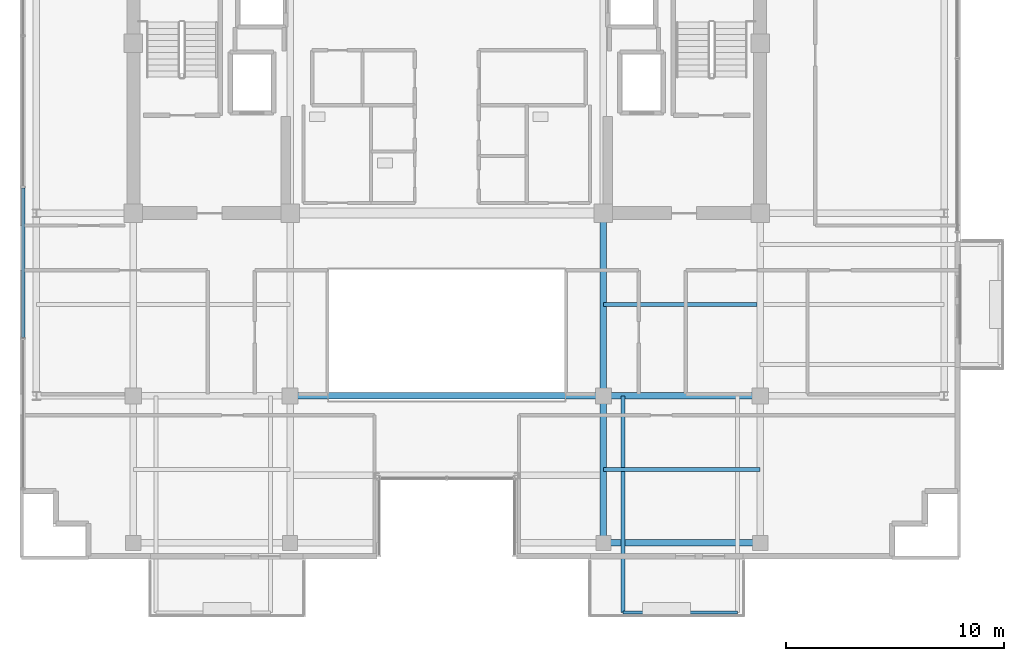
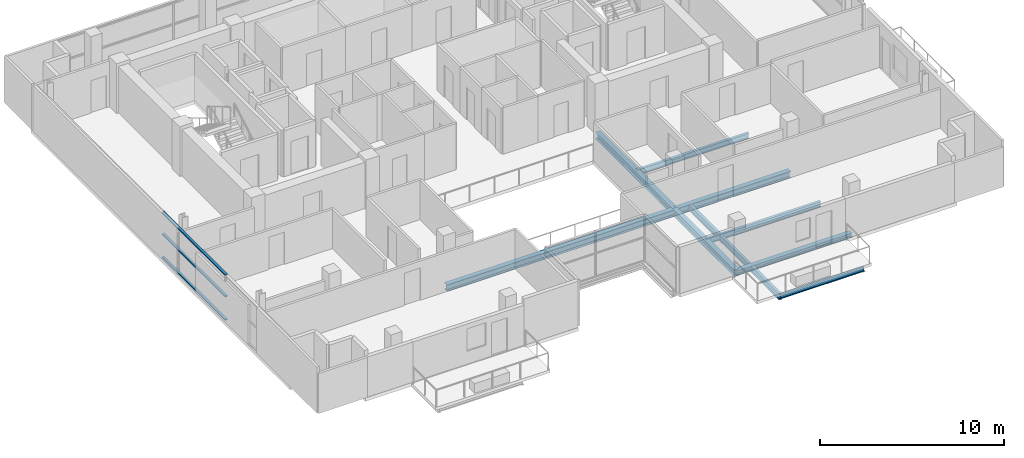
# One storey, part 6 of 22: 9 beams, 3 members, 1 element without a shape of its own.
"""IFC4 building model written with IfcOpenShell, lengths in metres."""

import ifcopenshell
import ifcopenshell.guid

model = None  # the IFC model being written
_history = None  # IfcOwnerHistory: only IFC2X3 demands one
_inside = {}  # id of a spatial element -> (the spatial element, [elements in it])
_under = {}  # id of a project, library or spatial element -> (it, [spatial elements below it])
_declared = {}  # id of a project -> (the project, [libraries it declares])
_typed = {}  # id of a type object -> (the type object, [elements of that type])
_made_of = {}  # id of a material, layer set ... -> (it, [elements and type objects made of it])


def new_model(schema):
    """Start an empty IFC model of exactly this schema.

    Asked for "IFC4X3", IfcOpenShell would pick the latest addendum, in which some entities
    have other attributes; the version numbers below select the first issue.
    IFC2X3 requires an IfcOwnerHistory on every rooted entity: one is made here for all.
    """
    global model, _history
    if schema == "IFC4X3":
        model = ifcopenshell.file(schema_version=(4, 3, 0, 0))
    else:
        model = ifcopenshell.file(schema=schema)
    _inside.clear()
    _under.clear()
    _declared.clear()
    _typed.clear()
    _made_of.clear()
    _history = None
    if model.schema == "IFC2X3":
        org = make("IfcOrganization", Name="unknown")
        user = make(
            "IfcPersonAndOrganization",
            ThePerson=make("IfcPerson", FamilyName="unknown"),
            TheOrganization=org,
        )
        app = make(
            "IfcApplication",
            ApplicationDeveloper=org,
            Version="unknown",
            ApplicationFullName="unknown",
            ApplicationIdentifier="unknown",
        )
        _history = make(
            "IfcOwnerHistory",
            OwningUser=user,
            OwningApplication=app,
            ChangeAction="ADDED",
            CreationDate=0,
        )
    return model


def make(cls, **values):
    """One entity of the class cls with the attributes given. An attribute that is None is left unset."""
    return model.create_entity(
        cls, **{name: value for name, value in values.items() if value is not None}
    )


def rooted(cls, **values):
    """An entity with a GlobalId (a new one), such as an element, a storey or a relation."""
    return make(cls, GlobalId=ifcopenshell.guid.new(), OwnerHistory=_history, **values)


def si_unit(unit_type, name, prefix=None):
    """IfcSIUnit, for example si_unit("LENGTHUNIT", "METRE", prefix="MILLI")."""
    return make("IfcSIUnit", UnitType=unit_type, Prefix=prefix, Name=name)


def assignment(units):
    """IfcUnitAssignment: the units of a project."""
    return None if units is None else make("IfcUnitAssignment", Units=units)


def point(xyz):
    """IfcCartesianPoint."""
    return None if xyz is None else make("IfcCartesianPoint", Coordinates=xyz)


def direction(xyz):
    """IfcDirection."""
    return None if xyz is None else make("IfcDirection", DirectionRatios=xyz)


def frame(location, z_axis=None, x_axis=None):
    """IfcAxis2Placement3D, a coordinate frame: its origin and axes. An axis left out is left unset."""
    return make(
        "IfcAxis2Placement3D",
        Location=point(location),
        Axis=direction(z_axis),
        RefDirection=direction(x_axis),
    )


def frame_2d(location, x_axis=None):
    """IfcAxis2Placement2D, a coordinate frame in the plane: its origin and x axis."""
    return make(
        "IfcAxis2Placement2D", Location=point(location), RefDirection=direction(x_axis)
    )


def origin():
    """The frame at (0, 0, 0) with its axes left unset."""
    return frame((0.0, 0.0, 0.0))


def origin_2d():
    """The frame at (0, 0) in the plane with its x axis left unset."""
    return frame_2d((0.0, 0.0))


def place(relative_to, where):
    """IfcLocalPlacement: puts the frame where relative to a parent placement (None: the world)."""
    return make(
        "IfcLocalPlacement", PlacementRelTo=relative_to, RelativePlacement=where
    )


def context(
    kind, dimensions, precision=None, world=None, true_north=None, identifier=None
):
    """IfcGeometricRepresentationContext, for example the 3D "Model" context."""
    return make(
        "IfcGeometricRepresentationContext",
        ContextIdentifier=identifier,
        ContextType=kind,
        CoordinateSpaceDimension=dimensions,
        Precision=precision,
        WorldCoordinateSystem=world,
        TrueNorth=true_north,
    )


def subcontext(parent, identifier, kind, view, scale=None):
    """IfcGeometricRepresentationSubContext, for example "Body" below "Model"."""
    return make(
        "IfcGeometricRepresentationSubContext",
        ContextIdentifier=identifier,
        ContextType=kind,
        ParentContext=parent,
        TargetScale=scale,
        TargetView=view,
    )


def project(units=None, contexts=None):
    """IfcProject with its units and contexts."""
    return rooted(
        "IfcProject",
        Name="project",
        RepresentationContexts=contexts,
        UnitsInContext=assignment(units),
    )


def spatial(cls, under=None, at=None, **own):
    """A site, building, storey or space (cls), placed at a placement, below another one or the project."""
    s = rooted(cls, ObjectPlacement=at, **own)
    if under is not None:
        _under.setdefault(under.id(), (under, []))[1].append(s)
    return s


def profile(cls, at=None, kind="AREA", **sizes):
    """A parametric profile (cls). Its sizes go by their IFC names, for example OverallWidth=200.0."""
    return make(cls, ProfileType=kind, Position=at, **sizes)


def hollow_rectangle(**sizes):
    """IfcRectangleHollowProfileDef."""
    return profile("IfcRectangleHollowProfileDef", **sizes)


def i_section(**sizes):
    """IfcIShapeProfileDef."""
    return profile("IfcIShapeProfileDef", **sizes)


def extrude(swept, where, along, depth):
    """IfcExtrudedAreaSolid: the profile swept, set in the frame where, extruded along a direction by depth."""
    return make(
        "IfcExtrudedAreaSolid",
        SweptArea=swept,
        Position=where,
        ExtrudedDirection=direction(along),
        Depth=depth,
    )


def shape(context_of_items, identifier, shape_type, items):
    """IfcShapeRepresentation: the items that make up one representation, for example the "Body"."""
    return make(
        "IfcShapeRepresentation",
        ContextOfItems=context_of_items,
        RepresentationIdentifier=identifier,
        RepresentationType=shape_type,
        Items=items,
    )


def source(mapping_origin, context_of_items, identifier, shape_type, items):
    """IfcRepresentationMap: a shape defined once, which mapped items show again and again."""
    return make(
        "IfcRepresentationMap",
        MappingOrigin=mapping_origin,
        MappedRepresentation=shape(context_of_items, identifier, shape_type, items),
    )


def transform(
    local_origin,
    x_axis=None,
    y_axis=None,
    z_axis=None,
    scale=None,
    scale2=None,
    scale3=None,
    uniform=True,
):
    """IfcCartesianTransformationOperator3D, or its non-uniform kind. x_axis, y_axis, z_axis: its Axis1, 2, 3."""
    if uniform:
        return make(
            "IfcCartesianTransformationOperator3D",
            Axis1=direction(x_axis),
            Axis2=direction(y_axis),
            LocalOrigin=point(local_origin),
            Scale=scale,
            Axis3=direction(z_axis),
        )
    return make(
        "IfcCartesianTransformationOperator3DnonUniform",
        Axis1=direction(x_axis),
        Axis2=direction(y_axis),
        LocalOrigin=point(local_origin),
        Scale=scale,
        Axis3=direction(z_axis),
        Scale2=scale2,
        Scale3=scale3,
    )


def mapped(mapping_source, mapping_target):
    """IfcMappedItem: shows the shape of a source again, moved by a transform."""
    return make(
        "IfcMappedItem", MappingSource=mapping_source, MappingTarget=mapping_target
    )


def material(Name=None, Category=None):
    """IfcMaterial."""
    return make("IfcMaterial", Name=Name, Category=Category)


def layer(
    of_material, thickness, ventilated=None, Name=None, Category=None, Priority=None
):
    """IfcMaterialLayer: one layer of a wall or slab, of a material (None: an air gap)."""
    return make(
        "IfcMaterialLayer",
        Material=of_material,
        LayerThickness=thickness,
        IsVentilated=ventilated,
        Name=Name,
        Category=Category,
        Priority=Priority,
    )


def layer_set(layers, Name=None):
    """IfcMaterialLayerSet."""
    return make("IfcMaterialLayerSet", MaterialLayers=layers, LayerSetName=Name)


def material_profile(
    of_material, cross_section, Name=None, Category=None, Priority=None
):
    """IfcMaterialProfile: a cross section and its material."""
    return make(
        "IfcMaterialProfile",
        Name=Name,
        Material=of_material,
        Profile=cross_section,
        Priority=Priority,
        Category=Category,
    )


def profile_set(profiles, Name=None, composite=None):
    """IfcMaterialProfileSet."""
    return make(
        "IfcMaterialProfileSet",
        Name=Name,
        MaterialProfiles=profiles,
        CompositeProfile=composite,
    )


def made_of(thing, what):
    """Note that an element or type object is made of a material, layer set ...; save() writes the relation."""
    if what is not None:
        _made_of.setdefault(what.id(), (what, []))[1].append(thing)
    return thing


def type_object(cls, material=None, **own):
    """A type object (cls), such as IfcWallType, which elements share."""
    return made_of(rooted(cls, **own), material)


def element(
    cls,
    number,
    at=None,
    inside=None,
    cuts=None,
    type_object=None,
    material=None,
    context=None,
    identifier="Body",
    shape_type=None,
    held_by="IfcProductDefinitionShape",
    body=None,
    shapes=None,
    **own,
):
    """One element of the class cls, such as IfcWall. Its Tag is "e" and its number.

    at: its placement. inside: the storey or other place that contains it. cuts: it is an
    opening in that element (IfcRelVoidsElement). A single representation is given by context,
    identifier, shape_type and body (its items); several are given by shapes. held_by: the class
    of the entity that holds the representations. save() writes the other relations.
    """
    e = rooted(cls, Tag="e%d" % number, ObjectPlacement=at, **own)
    if body is not None:
        shapes = [shape(context, identifier, shape_type, body)]
    if shapes is not None:
        e.Representation = make(held_by, Representations=shapes)
    if inside is not None:
        _inside.setdefault(inside.id(), (inside, []))[1].append(e)
    if cuts is not None:
        rooted(
            "IfcRelVoidsElement", RelatingBuildingElement=cuts, RelatedOpeningElement=e
        )
    if type_object is not None:
        _typed.setdefault(type_object.id(), (type_object, []))[1].append(e)
    return made_of(e, material)


def aggregate(whole, parts):
    """IfcRelAggregates: a whole, such as a stair, and the parts it consists of."""
    return rooted("IfcRelAggregates", RelatingObject=whole, RelatedObjects=parts)


def save(model, path):
    """Write the relations noted so far, then the file.

    IfcRelAggregates (storeys below a building ...), IfcRelContainedInSpatialStructure (elements
    in a storey), IfcRelDefinesByType, IfcRelAssociatesMaterial and IfcRelDeclares: one each for
    every whole, place, type object, material and project.
    """
    for whole, parts in _under.values():
        aggregate(whole, parts)
    for where, things in _inside.values():
        rooted(
            "IfcRelContainedInSpatialStructure",
            RelatedElements=things,
            RelatingStructure=where,
        )
    for kind, things in _typed.values():
        rooted("IfcRelDefinesByType", RelatedObjects=things, RelatingType=kind)
    for what, things in _made_of.values():
        rooted("IfcRelAssociatesMaterial", RelatedObjects=things, RelatingMaterial=what)
    for by, libraries in _declared.values():
        rooted("IfcRelDeclares", RelatingContext=by, RelatedDefinitions=libraries)
    model.write(path)


model = new_model("IFC4")

# Units and contexts
model_context = context("Model", 3, precision=1e-05, world=origin(), true_north=direction((0.0, 1.0)))
body_context = subcontext(model_context, "Body", "Model", "MODEL_VIEW")
ifc_project = project(units=[si_unit("LENGTHUNIT", "METRE"), si_unit("AREAUNIT", "SQUARE_METRE"), si_unit("VOLUMEUNIT", "CUBIC_METRE"), si_unit("PLANEANGLEUNIT", "RADIAN"), si_unit("MASSUNIT", "GRAM", prefix="KILO")], contexts=[model_context])

# Site, building, storey
site_placement = place(None, origin())
site = spatial("IfcSite", under=ifc_project, at=site_placement, CompositionType="ELEMENT")
building_placement = place(site_placement, origin())
building = spatial("IfcBuilding", under=site, at=building_placement, Name="Zarnakvel Exchange Tower", CompositionType="ELEMENT")
storey_placement = place(building_placement, frame((0.0, 0.0, 245.199951171875)))
storey = spatial("IfcBuildingStorey", under=building, at=storey_placement, Name="L69", CompositionType="ELEMENT", Elevation=245.199951171875)

# Beams
ifc_material_1 = material(Name="Steel S355", Category="steel")
ifc_material_profile_1 = material_profile(ifc_material_1, i_section(OverallWidth=0.179931640625, OverallDepth=0.39990234375, WebThickness=0.008544921875, FlangeThickness=0.013427734375, FilletRadius=0.02099609375, at=origin_2d()))
ifc_profile_set_1 = profile_set([ifc_material_profile_1], Name="Steel S355")
beam_type_1 = type_object("IfcBeamType", Name="B-06", PredefinedType="JOIST", material=ifc_profile_set_1)
beam_1_placement = place(storey_placement, frame((8.10009765625, -9.60009765625, -0.425048828125), z_axis=(0.0, -1.0, 0.0), x_axis=(1.0, 0.0, 0.0)))
element("IfcBeam", 1, at=beam_1_placement, inside=storey, type_object=beam_type_1, Name="L69 Continuous Back-Spanned Balcony Beam W", PredefinedType="JOIST", context=body_context, shape_type="SweptSolid", body=[
    extrude(i_section(OverallWidth=0.179931640625, OverallDepth=0.39990234375, WebThickness=0.008544921875, FlangeThickness=0.013427734375, FilletRadius=0.02099609375, at=origin_2d()), origin(), (0.0, 0.0, 1.0), 9.949951171875),
])
ifc_material_profile_2 = material_profile(ifc_material_1, i_section(OverallWidth=0.169921875, OverallDepth=0.360107421875, WebThickness=0.008056640625, FlangeThickness=0.0126953125, FilletRadius=0.01806640625, at=origin_2d()))
ifc_profile_set_2 = profile_set([ifc_material_profile_2], Name="Steel S355")
beam_type_2 = type_object("IfcBeamType", Name="B-07", PredefinedType="JOIST", material=ifc_profile_set_2)
beam_2_placement = place(storey_placement, frame((7.199951171875, -12.97509765625, -0.405029296875), z_axis=(1.0, 0.0, 0.0), x_axis=(0.0, 1.0, 0.0)))
element("IfcBeam", 2, at=beam_2_placement, inside=storey, type_object=beam_type_2, Name="L69 Composite Floor Secondary Joist", PredefinedType="JOIST", context=body_context, shape_type="SweptSolid", body=[
    extrude(i_section(OverallWidth=0.169921875, OverallDepth=0.360107421875, WebThickness=0.008056640625, FlangeThickness=0.0126953125, FilletRadius=0.01806640625, at=origin_2d()), origin(), (0.0, 0.0, 1.0), 7.199951171875),
])
beam_3_placement = place(storey_placement, frame((7.199951171875, -5.39990234375, -0.405029296875), z_axis=(1.0, 0.0, 0.0), x_axis=(0.0, 1.0, 0.0)))
element("IfcBeam", 3, at=beam_3_placement, inside=storey, type_object=beam_type_2, Name="L69 Composite Floor Secondary Joist", PredefinedType="JOIST", context=body_context, shape_type="SweptSolid", body=[
    extrude(i_section(OverallWidth=0.169921875, OverallDepth=0.360107421875, WebThickness=0.008056640625, FlangeThickness=0.0126953125, FilletRadius=0.01806640625, at=origin_2d()), origin(), (0.0, 0.0, 1.0), 7.050048828125),
])
ifc_material_profile_3 = material_profile(ifc_material_1, i_section(OverallWidth=0.14990234375, OverallDepth=0.300048828125, WebThickness=0.007080078125, FlangeThickness=0.0107421875, FilletRadius=0.014892578125, at=origin_2d()))
ifc_profile_set_3 = profile_set([ifc_material_profile_3], Name="Steel S355")
beam_type_3 = type_object("IfcBeamType", Name="B-08", PredefinedType="JOIST", material=ifc_profile_set_3)
beam_4_placement = place(storey_placement, frame((8.10009765625, -19.550048828125, -0.375), z_axis=(1.0, 0.0, 0.0), x_axis=(0.0, 1.0, 0.0)))
element("IfcBeam", 4, at=beam_4_placement, inside=storey, type_object=beam_type_3, Name="L69 Balcony Edge Beam", PredefinedType="JOIST", context=body_context, shape_type="SweptSolid", body=[
    extrude(i_section(OverallWidth=0.14990234375, OverallDepth=0.300048828125, WebThickness=0.007080078125, FlangeThickness=0.0107421875, FilletRadius=0.014892578125, at=origin_2d()), origin(), (0.0, 0.0, 1.0), 5.25),
])
ifc_material_profile_4 = material_profile(ifc_material_1, i_section(OverallWidth=0.300048828125, OverallDepth=0.449951171875, WebThickness=0.013916015625, FlangeThickness=0.02587890625, FilletRadius=0.027099609375, at=origin_2d()))
ifc_profile_set_4 = profile_set([ifc_material_profile_4], Name="Steel S355")
beam_type_4 = type_object("IfcBeamType", Name="G-07", PredefinedType="BEAM", material=ifc_profile_set_4)
beam_5_placement = place(storey_placement, frame((-7.199951171875, -9.60009765625, -0.449951171875), z_axis=(1.0, 0.0, 0.0), x_axis=(0.0, 1.0, 0.0)))
element("IfcBeam", 5, at=beam_5_placement, inside=storey, type_object=beam_type_4, Name="L69 Tower E-W Frame Beam", PredefinedType="BEAM", context=body_context, shape_type="SweptSolid", body=[
    extrude(i_section(OverallWidth=0.300048828125, OverallDepth=0.449951171875, WebThickness=0.013916015625, FlangeThickness=0.02587890625, FilletRadius=0.027099609375, at=origin_2d()), origin(), (0.0, 0.0, 1.0), 14.39990234375),
])
beam_6_placement = place(storey_placement, frame((7.199951171875, -9.60009765625, -0.449951171875), z_axis=(1.0, 0.0, 0.0), x_axis=(0.0, 1.0, 0.0)))
element("IfcBeam", 6, at=beam_6_placement, inside=storey, type_object=beam_type_4, Name="L69 Tower E-W Frame Beam", PredefinedType="BEAM", context=body_context, shape_type="SweptSolid", body=[
    extrude(i_section(OverallWidth=0.300048828125, OverallDepth=0.449951171875, WebThickness=0.013916015625, FlangeThickness=0.02587890625, FilletRadius=0.027099609375, at=origin_2d()), origin(), (0.0, 0.0, 1.0), 7.199951171875),
])
beam_7_placement = place(storey_placement, frame((7.199951171875, -16.35009765625, -0.449951171875), z_axis=(0.0, 1.0, 0.0), x_axis=(-1.0, 0.0, 0.0)))
element("IfcBeam", 7, at=beam_7_placement, inside=storey, type_object=beam_type_4, Name="L69 Tower N-S Frame Beam", PredefinedType="BEAM", context=body_context, shape_type="SweptSolid", body=[
    extrude(i_section(OverallWidth=0.300048828125, OverallDepth=0.449951171875, WebThickness=0.013916015625, FlangeThickness=0.02587890625, FilletRadius=0.027099609375, at=origin_2d()), origin(), (0.0, 0.0, 1.0), 6.75),
])
beam_8_placement = place(storey_placement, frame((7.199951171875, -9.60009765625, -0.449951171875), z_axis=(0.0, 1.0, 0.0), x_axis=(-1.0, 0.0, 0.0)))
element("IfcBeam", 8, at=beam_8_placement, inside=storey, type_object=beam_type_4, Name="L69 Tower N-S Frame Beam", PredefinedType="BEAM", context=body_context, shape_type="SweptSolid", body=[
    extrude(i_section(OverallWidth=0.300048828125, OverallDepth=0.449951171875, WebThickness=0.013916015625, FlangeThickness=0.02587890625, FilletRadius=0.027099609375, at=origin_2d()), origin(), (0.0, 0.0, 1.0), 8.400146484375),
])
ifc_material_profile_5 = material_profile(ifc_material_1, i_section(OverallWidth=0.300048828125, OverallDepth=0.300048828125, WebThickness=0.010986328125, FlangeThickness=0.01904296875, FilletRadius=0.027099609375, at=origin_2d()))
ifc_profile_set_5 = profile_set([ifc_material_profile_5], Name="Steel S355")
beam_type_5 = type_object("IfcBeamType", Name="SP-03", PredefinedType="SPANDREL", material=ifc_profile_set_5)
beam_9_placement = place(storey_placement, frame((7.199951171875, -16.35009765625, -0.375), z_axis=(1.0, 0.0, 0.0), x_axis=(0.0, 1.0, 0.0)))
element("IfcBeam", 9, at=beam_9_placement, inside=storey, type_object=beam_type_5, Name="L69 Tower E-W Frame Beam", PredefinedType="SPANDREL", context=body_context, shape_type="SweptSolid", body=[
    extrude(i_section(OverallWidth=0.300048828125, OverallDepth=0.300048828125, WebThickness=0.010986328125, FlangeThickness=0.01904296875, FilletRadius=0.027099609375, at=origin_2d()), origin(), (0.0, 0.0, 1.0), 7.199951171875),
])

# Curtain wall, members
ifc_material_2 = material(Name="Architectural Bronze Anodised Aluminium", Category="aluminium")
ifc_layer = layer(ifc_material_2, 0.199951171875)
ifc_layer_set = layer_set([ifc_layer], Name="Architectural Bronze Anodised Aluminium")
curtain_wall_type = type_object("IfcCurtainWallType", Name="CW-04", PredefinedType="NOTDEFINED", material=ifc_layer_set)
curtain_wall_placement = place(storey_placement, origin())
curtain_wall = element("IfcCurtainWall", 10, at=curtain_wall_placement, inside=storey, type_object=curtain_wall_type, Name="L69 Curtain Wall CW-L69-W1 (CW-04)", PredefinedType="NOTDEFINED")
ifc_material_profile_6 = material_profile(ifc_material_2, hollow_rectangle(XDim=0.159912109375, YDim=0.074951171875, WallThickness=0.00390625, at=origin_2d()))
ifc_profile_set_6 = profile_set([ifc_material_profile_6], Name="Architectural Bronze Anodised Aluminium")
member_type = type_object("IfcMemberType", Name="CWT-04", PredefinedType="USERDEFINED", material=ifc_profile_set_6)
shared_shape = source(origin(), body_context, "Body", "SweptSolid", [
    extrude(hollow_rectangle(XDim=0.159912109375, YDim=0.074951171875, WallThickness=0.00390625, at=origin_2d()), origin(), (0.0, 0.0, 1.0), 6.875),
])
member_1_placement = place(storey_placement, frame((-19.4599609375, -6.91259765625, 0.03759765625), z_axis=(0.0, 1.0, 0.0), x_axis=(-1.0, 0.0, 0.0)))
member_1 = element("IfcMember", 11, at=member_1_placement, type_object=member_type, Name="CW-04 transom 2.1", ObjectType="TRANSOM", PredefinedType="USERDEFINED", context=body_context, shape_type="MappedRepresentation", body=[
    mapped(shared_shape, transform((0.0, 0.0, 0.0), x_axis=(1.0, 0.0, 0.0), y_axis=(0.0, 1.0, 0.0), z_axis=(0.0, 0.0, 1.0), scale=1.0)),
])
member_2_placement = place(storey_placement, frame((-19.4599609375, -6.91259765625, 1.588623046875), z_axis=(0.0, 1.0, 0.0), x_axis=(-1.0, 0.0, 0.0)))
member_2 = element("IfcMember", 12, at=member_2_placement, type_object=member_type, Name="CW-04 transom 2.2", ObjectType="TRANSOM", PredefinedType="USERDEFINED", context=body_context, shape_type="MappedRepresentation", body=[
    mapped(shared_shape, transform((0.0, 0.0, 0.0), x_axis=(1.0, 0.0, 0.0), y_axis=(0.0, 1.0, 0.0), z_axis=(0.0, 0.0, 1.0), scale=1.0)),
])
member_3_placement = place(storey_placement, frame((-19.4599609375, -6.91259765625, 3.017578125), z_axis=(0.0, 1.0, 0.0), x_axis=(-1.0, 0.0, 0.0)))
member_3 = element("IfcMember", 13, at=member_3_placement, type_object=member_type, Name="CW-04 transom 2.3", ObjectType="TRANSOM", PredefinedType="USERDEFINED", context=body_context, shape_type="MappedRepresentation", body=[
    mapped(shared_shape, transform((0.0, 0.0, 0.0), x_axis=(1.0, 0.0, 0.0), y_axis=(0.0, 1.0, 0.0), z_axis=(0.0, 0.0, 1.0), scale=1.0)),
])
aggregate(curtain_wall, [member_1, member_2, member_3])

save(model, "model.ifc")
